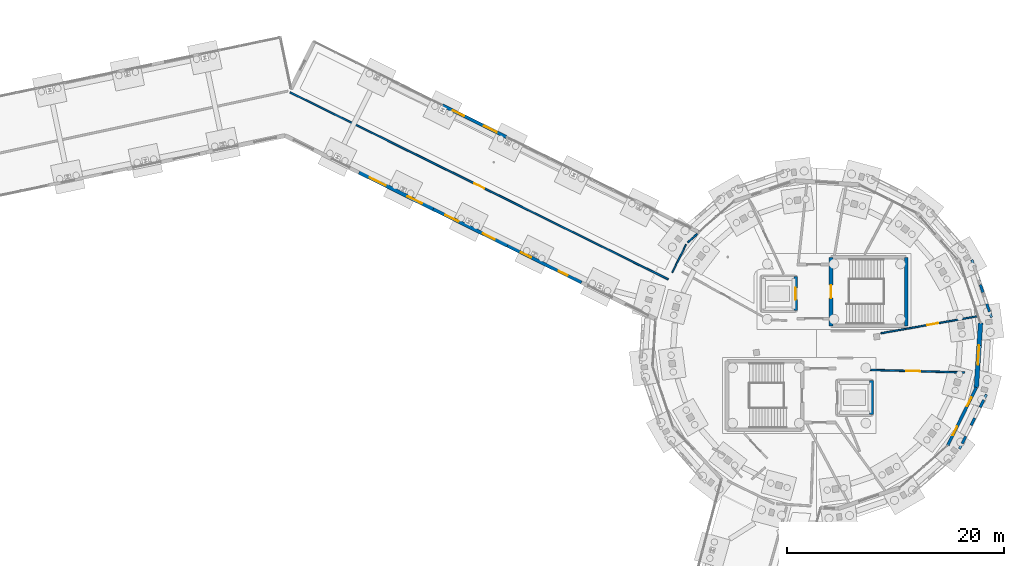
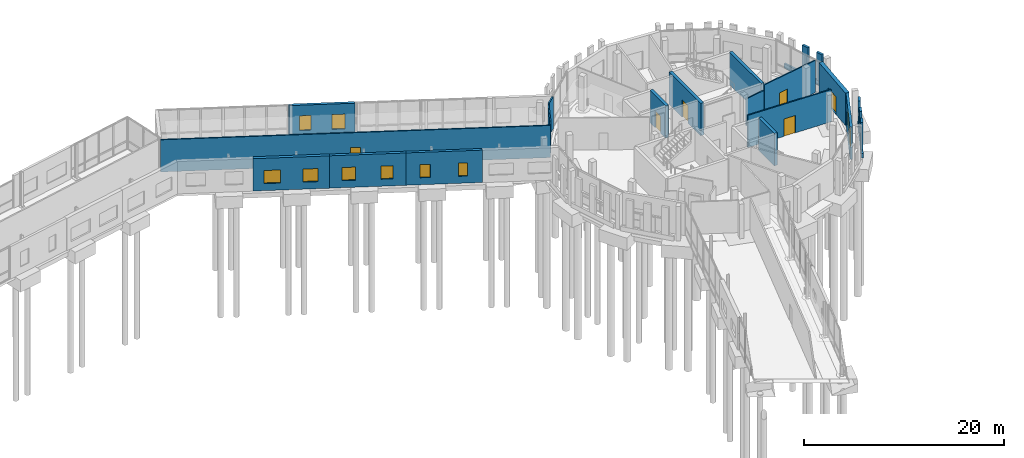
# One storey, part 94 of 113: 23 walls, 10 windows, 6 doors, 16 openings.
"""IFC4 building model written with IfcOpenShell, lengths in metres."""

from ifc_helpers import new_model, si_unit, direction, frame, frame_2d, origin, place, context, subcontext, project, spatial, rectangle, extrude, material, layer, layer_set, type_object, element, fill, save


model = new_model("IFC4")

# Units and contexts
model_context = context("Model", 3, precision=1e-05, world=origin(), true_north=direction((0.0, 1.0)))
body_context = subcontext(model_context, "Body", "Model", "MODEL_VIEW")
ifc_project = project(units=[si_unit("LENGTHUNIT", "METRE"), si_unit("AREAUNIT", "SQUARE_METRE"), si_unit("VOLUMEUNIT", "CUBIC_METRE"), si_unit("PLANEANGLEUNIT", "RADIAN"), si_unit("MASSUNIT", "GRAM", prefix="KILO")], contexts=[model_context])

# Site, building, storey
site_placement = place(None, origin())
site = spatial("IfcSite", under=ifc_project, at=site_placement, CompositionType="ELEMENT")
building_placement = place(site_placement, origin())
building = spatial("IfcBuilding", under=site, at=building_placement, Name="Wrenclough Park School", CompositionType="ELEMENT")
storey_placement = place(building_placement, origin())
storey = spatial("IfcBuildingStorey", under=building, at=storey_placement, Name="L00", CompositionType="ELEMENT", Elevation=0.0)

# Walls
ifc_material_1 = material(Name="Perforated open-bond Staffordshire and Manchester brick screen pier", Category="masonry")
ifc_layer_1 = layer(ifc_material_1, 0.2451171875)
ifc_layer_set_1 = layer_set([ifc_layer_1], Name="Perforated open-bond Staffordshire and Manchester brick screen pier")
wall_type_1 = type_object("IfcWallType", Name="ENV-BS-PR245", PredefinedType="ELEMENTEDWALL", material=ifc_layer_set_1)
for number, where, z_axis, x_axis, name in (
    (1, (190.47216796875, 96.537841796875, 0.550048828125), (0.0, 0.0, 1.0), (-0.321522655386, 0.946901886192, 0.0), "D5 L00 perforated brick screen pier 0138"),
    (2, (189.86865234375, 98.315673828125, 0.550048828125), (0.0, 0.0, 1.0), (-0.32123461411, 0.946999642396, 0.0), "D5 L00 perforated brick screen pier 0139"),
    (3, (187.94189453125, 84.353759765625, 0.550048828125), (0.0, 0.0, 1.0), (0.442324339485, 0.896855160379, 0.0), "D5 L00 perforated brick screen pier 0163"),
    (4, (188.7724609375, 86.03759765625, 0.550048828125), (0.0, 0.0, 1.0), (0.442324339485, 0.896855160379, 0.0), "D5 L00 perforated brick screen pier 0164"),
    (5, (189.602783203125, 87.7216796875, 0.550048828125), (0.0, 0.0, 1.0), (0.442324339485, 0.896855160379, 0.0), "D5 L00 perforated brick screen pier 0165"),
):
    element("IfcWall", number, at=place(storey_placement, frame(where, z_axis=z_axis, x_axis=x_axis)), inside=storey, type_object=wall_type_1, Name=name, PredefinedType="ELEMENTEDWALL", context=body_context, shape_type="SweptSolid", body=[
        extrude(rectangle(XDim=0.760009765625, YDim=0.2451171875, at=frame_2d((0.3798828125, 0.0))), origin(), (0.0, 0.0, 1.0), 3.389892578125),
    ])
ifc_material_2 = material(Name="Open-bond Manchester multi-stock brick spandrel screen", Category="masonry")
ifc_layer_2 = layer(ifc_material_2, 0.22509765625)
ifc_layer_set_2 = layer_set([ifc_layer_2], Name="Open-bond Manchester multi-stock brick spandrel screen")
wall_type_2 = type_object("IfcWallType", Name="ENV-BS-SP225", PredefinedType="ELEMENTEDWALL", material=ifc_layer_set_2)
wall_1_placement = place(storey_placement, frame((190.65185546875, 96.0087890625, 0.0), z_axis=(0.0, 0.0, 1.0), x_axis=(-0.321450435893, 0.946926405411, 0.0)))
element("IfcWall", 6, at=wall_1_placement, inside=storey, type_object=wall_type_2, Name="D5 L00 open-bond brick screen spandrel 0038", PredefinedType="ELEMENTEDWALL", context=body_context, shape_type="SweptSolid", body=[
    extrude(rectangle(XDim=5.63232421875, YDim=0.22509765625, at=frame_2d((2.816162109375, 0.0))), origin(), (0.0, 0.0, 1.0), 0.550048828125),
])
wall_2_placement = place(storey_placement, frame((187.69482421875, 83.8525390625, 0.0), z_axis=(0.0, 0.0, 1.0), x_axis=(0.442317796398, 0.896858387366, 0.0)))
element("IfcWall", 7, at=wall_2_placement, inside=storey, type_object=wall_type_2, Name="D5 L00 open-bond brick screen spandrel 0047", PredefinedType="ELEMENTEDWALL", context=body_context, shape_type="SweptSolid", body=[
    extrude(rectangle(XDim=5.6328125, YDim=0.22509765625, at=frame_2d((2.81640625, 0.0))), origin(), (0.0, 0.0, 1.0), 0.550048828125),
])

# Wall, openings, windows
ifc_material_3 = material(Name="Link wing brick-faced cavity wall Concrete C32/40", Category="masonry")
ifc_layer_3 = layer(ifc_material_3, 0.27490234375)
ifc_layer_set_3 = layer_set([ifc_layer_3], Name="Link wing brick-faced cavity wall Concrete C32/40")
wall_type_3 = type_object("IfcWallType", Name="ENV-EW-275", PredefinedType="SOLIDWALL", material=ifc_layer_set_3)
wall_3_placement = place(storey_placement, frame((189.257080078125, 89.5458984375, 0.0), z_axis=(0.0, 0.0, 1.0), x_axis=(-0.442275786664, -0.896879104746, 0.0)))
wall_3 = element("IfcWall", 8, at=wall_3_placement, inside=storey, type_object=wall_type_3, Name="L00 insulated brick external wall 0030", PredefinedType="SOLIDWALL", context=body_context, shape_type="SweptSolid", body=[
    extrude(rectangle(XDim=5.961181640625, YDim=0.27490234375, at=frame_2d((2.98046875, 0.0))), origin(), (0.0, 0.0, 1.0), 3.93994140625),
])
opening_1_placement = place(wall_3_placement, frame((1.040283203125, 0.0, 0.85009765625)))
opening_1 = element("IfcOpeningElement", 9, at=opening_1_placement, cuts=wall_3, Name="Opening WN-13", PredefinedType="OPENING", context=body_context, shape_type="SweptSolid", body=[
    extrude(rectangle(XDim=0.89990234375, YDim=1.60009765625, at=frame_2d((0.449951171875, 0.800048828125))), frame((0.0, 0.1474609375, 0.0), z_axis=(0.0, -1.0, 0.0), x_axis=(1.0, 0.0, 0.0)), (0.0, 0.0, 1.0), 0.294921875),
])
opening_2_placement = place(wall_3_placement, frame((4.02099609375, 0.0, 0.85009765625)))
opening_2 = element("IfcOpeningElement", 10, at=opening_2_placement, cuts=wall_3, Name="Opening WN-13", PredefinedType="OPENING", context=body_context, shape_type="SweptSolid", body=[
    extrude(rectangle(XDim=0.89990234375, YDim=1.60009765625, at=frame_2d((0.449951171875, 0.800048828125))), frame((0.0, 0.1474609375, 0.0), z_axis=(0.0, -1.0, 0.0), x_axis=(1.0, 0.0, 0.0)), (0.0, 0.0, 1.0), 0.294921875),
])
ifc_material_4 = material(Name="Thermally broken aluminium and double-glazed low-e glass", Category="aluminium")
window_type_1 = type_object("IfcWindowType", Name="ENV-WN-13", PartitioningType="SINGLE_PANEL", PredefinedType="WINDOW", material=ifc_material_4)
window_1_placement = place(opening_1_placement, origin())
window_1 = element("IfcWindow", 11, at=window_1_placement, inside=storey, type_object=window_type_1, Name="L00 scheduled facade window 0033", OverallHeight=1.60009765625, OverallWidth=0.89990234375, PartitioningType="SINGLE_PANEL", PredefinedType="WINDOW", context=body_context, shape_type="SweptSolid", body=[
    extrude(rectangle(XDim=0.89990234375, YDim=1.60009765625, at=frame_2d((0.449951171875, 0.800048828125))), frame((0.0, 0.030029296875, 0.0), z_axis=(0.0, -1.0, 0.0), x_axis=(1.0, 0.0, 0.0)), (0.0, 0.0, 1.0), 0.06005859375),
])
fill(opening_1, window_1)
window_2_placement = place(opening_2_placement, origin())
window_2 = element("IfcWindow", 12, at=window_2_placement, inside=storey, type_object=window_type_1, Name="L00 scheduled facade window 0034", OverallHeight=1.60009765625, OverallWidth=0.89990234375, PartitioningType="SINGLE_PANEL", PredefinedType="WINDOW", context=body_context, shape_type="SweptSolid", body=[
    extrude(rectangle(XDim=0.89990234375, YDim=1.60009765625, at=frame_2d((0.449951171875, 0.800048828125))), frame((0.0, 0.030029296875, 0.0), z_axis=(0.0, -1.0, 0.0), x_axis=(1.0, 0.0, 0.0)), (0.0, 0.0, 1.0), 0.06005859375),
])
fill(opening_2, window_2)

ifc_material_5 = material(Name="Manchester multi-stock brick and Concrete C32/40 inner leaf", Category="masonry")
ifc_layer_4 = layer(ifc_material_5, 0.300048828125)
ifc_layer_set_4 = layer_set([ifc_layer_4], Name="Manchester multi-stock brick and Concrete C32/40 inner leaf")
wall_type_4 = type_object("IfcWallType", Name="ENV-EW-300", PredefinedType="SOLIDWALL", material=ifc_layer_set_4)
wall_4_placement = place(storey_placement, frame((139.934814453125, 115.602783203125, 0.0), z_axis=(0.0, 0.0, 1.0), x_axis=(0.896274950862, -0.443498830277, 0.0)))
wall_4 = element("IfcWall", 13, at=wall_4_placement, inside=storey, type_object=wall_type_4, Name="L00 insulated brick external wall 0024", PredefinedType="SOLIDWALL", context=body_context, shape_type="SweptSolid", body=[
    extrude(rectangle(XDim=6.605224609375, YDim=0.300048828125, at=frame_2d((3.302734375, 0.0))), origin(), (0.0, 0.0, 1.0), 3.93994140625),
])
opening_3_placement = place(wall_4_placement, frame((1.076416015625, 0.0, 0.85009765625)))
opening_3 = element("IfcOpeningElement", 14, at=opening_3_placement, cuts=wall_4, Name="Opening WN-26", PredefinedType="OPENING", context=body_context, shape_type="SweptSolid", body=[
    extrude(rectangle(XDim=1.14990234375, YDim=1.800048828125, at=frame_2d((0.574951171875, 0.89990234375))), frame((0.0, 0.159912109375, 0.0), z_axis=(0.0, -1.0, 0.0), x_axis=(1.0, 0.0, 0.0)), (0.0, 0.0, 1.0), 0.320068359375),
])
opening_4_placement = place(wall_4_placement, frame((4.30419921875, 0.0, 0.85009765625)))
opening_4 = element("IfcOpeningElement", 15, at=opening_4_placement, cuts=wall_4, Name="Opening WN-27", PredefinedType="OPENING", context=body_context, shape_type="SweptSolid", body=[
    extrude(rectangle(XDim=1.300048828125, YDim=1.800048828125, at=frame_2d((0.64990234375, 0.89990234375))), frame((0.0, 0.159912109375, 0.0), z_axis=(0.0, -1.0, 0.0), x_axis=(1.0, 0.0, 0.0)), (0.0, 0.0, 1.0), 0.320068359375),
])
window_type_2 = type_object("IfcWindowType", Name="ENV-WN-26", PartitioningType="SINGLE_PANEL", PredefinedType="WINDOW", material=ifc_material_4)
window_3_placement = place(opening_3_placement, origin())
window_3 = element("IfcWindow", 16, at=window_3_placement, inside=storey, type_object=window_type_2, Name="L00 scheduled facade window 0025", OverallHeight=1.800048828125, OverallWidth=1.14990234375, PartitioningType="SINGLE_PANEL", PredefinedType="WINDOW", context=body_context, shape_type="SweptSolid", body=[
    extrude(rectangle(XDim=1.14990234375, YDim=1.800048828125, at=frame_2d((0.574951171875, 0.89990234375))), frame((0.0, 0.030029296875, 0.0), z_axis=(0.0, -1.0, 0.0), x_axis=(1.0, 0.0, 0.0)), (0.0, 0.0, 1.0), 0.06005859375),
])
fill(opening_3, window_3)
window_type_3 = type_object("IfcWindowType", Name="ENV-WN-27", PartitioningType="SINGLE_PANEL", PredefinedType="WINDOW", material=ifc_material_4)
window_4_placement = place(opening_4_placement, origin())
window_4 = element("IfcWindow", 17, at=window_4_placement, inside=storey, type_object=window_type_3, Name="L00 scheduled facade window 0026", OverallHeight=1.800048828125, OverallWidth=1.300048828125, PartitioningType="SINGLE_PANEL", PredefinedType="WINDOW", context=body_context, shape_type="SweptSolid", body=[
    extrude(rectangle(XDim=1.300048828125, YDim=1.800048828125, at=frame_2d((0.64990234375, 0.89990234375))), frame((0.0, 0.030029296875, 0.0), z_axis=(0.0, -1.0, 0.0), x_axis=(1.0, 0.0, 0.0)), (0.0, 0.0, 1.0), 0.06005859375),
])
fill(opening_4, window_4)

wall_5_placement = place(storey_placement, frame((152.790771484375, 99.244384765625, 0.0), z_axis=(0.0, 0.0, 1.0), x_axis=(-0.896273029361, 0.443502713452, 0.0)))
wall_5 = element("IfcWall", 18, at=wall_5_placement, inside=storey, type_object=wall_type_4, Name="L00 insulated brick external wall 0056", PredefinedType="SOLIDWALL", context=body_context, shape_type="SweptSolid", body=[
    extrude(rectangle(XDim=7.6396484375, YDim=0.300048828125, at=frame_2d((3.81982421875, 0.0))), origin(), (0.0, 0.0, 1.0), 3.93994140625),
])
opening_5_placement = place(wall_5_placement, frame((1.4599609375, 0.0, 0.85009765625)))
opening_5 = element("IfcOpeningElement", 19, at=opening_5_placement, cuts=wall_5, Name="Opening WN-13", PredefinedType="OPENING", context=body_context, shape_type="SweptSolid", body=[
    extrude(rectangle(XDim=0.89990234375, YDim=1.60009765625, at=frame_2d((0.449951171875, 0.800048828125))), frame((0.0, 0.159912109375, 0.0), z_axis=(0.0, -1.0, 0.0), x_axis=(1.0, 0.0, 0.0)), (0.0, 0.0, 1.0), 0.320068359375),
])
opening_6_placement = place(wall_5_placement, frame((5.204833984375, 0.0, 0.85009765625)))
opening_6 = element("IfcOpeningElement", 20, at=opening_6_placement, cuts=wall_5, Name="Opening WN-14", PredefinedType="OPENING", context=body_context, shape_type="SweptSolid", body=[
    extrude(rectangle(XDim=1.050048828125, YDim=1.60009765625, at=frame_2d((0.52490234375, 0.800048828125))), frame((0.0, 0.159912109375, 0.0), z_axis=(0.0, -1.0, 0.0), x_axis=(1.0, 0.0, 0.0)), (0.0, 0.0, 1.0), 0.320068359375),
])
window_5_placement = place(opening_5_placement, origin())
window_5 = element("IfcWindow", 21, at=window_5_placement, inside=storey, type_object=window_type_1, Name="L00 scheduled facade window 0068", OverallHeight=1.60009765625, OverallWidth=0.89990234375, PartitioningType="SINGLE_PANEL", PredefinedType="WINDOW", context=body_context, shape_type="SweptSolid", body=[
    extrude(rectangle(XDim=0.89990234375, YDim=1.60009765625, at=frame_2d((0.449951171875, 0.800048828125))), frame((0.0, 0.030029296875, 0.0), z_axis=(0.0, -1.0, 0.0), x_axis=(1.0, 0.0, 0.0)), (0.0, 0.0, 1.0), 0.06005859375),
])
fill(opening_5, window_5)
window_type_4 = type_object("IfcWindowType", Name="ENV-WN-14", PartitioningType="SINGLE_PANEL", PredefinedType="WINDOW", material=ifc_material_4)
window_6_placement = place(opening_6_placement, origin())
window_6 = element("IfcWindow", 22, at=window_6_placement, inside=storey, type_object=window_type_4, Name="L00 scheduled facade window 0069", OverallHeight=1.60009765625, OverallWidth=1.050048828125, PartitioningType="SINGLE_PANEL", PredefinedType="WINDOW", context=body_context, shape_type="SweptSolid", body=[
    extrude(rectangle(XDim=1.050048828125, YDim=1.60009765625, at=frame_2d((0.52490234375, 0.800048828125))), frame((0.0, 0.030029296875, 0.0), z_axis=(0.0, -1.0, 0.0), x_axis=(1.0, 0.0, 0.0)), (0.0, 0.0, 1.0), 0.06005859375),
])
fill(opening_6, window_6)

ifc_layer_5 = layer(ifc_material_5, 0.324951171875)
ifc_layer_set_5 = layer_set([ifc_layer_5], Name="Manchester multi-stock brick and Concrete C32/40 inner leaf")
wall_type_5 = type_object("IfcWallType", Name="ENV-EW-325", PredefinedType="SOLIDWALL", material=ifc_layer_set_5)
wall_6_placement = place(storey_placement, frame((145.943603515625, 102.632568359375, 0.0), z_axis=(0.0, 0.0, 1.0), x_axis=(-0.896266612371, 0.443515681289, 0.0)))
wall_6 = element("IfcWall", 23, at=wall_6_placement, inside=storey, type_object=wall_type_5, Name="L00 insulated brick external wall 0057", PredefinedType="SOLIDWALL", context=body_context, shape_type="SweptSolid", body=[
    extrude(rectangle(XDim=7.639892578125, YDim=0.324951171875, at=frame_2d((3.81982421875, 0.0))), origin(), (0.0, 0.0, 1.0), 3.93994140625),
])
opening_7_placement = place(wall_6_placement, frame((1.31005859375, 0.0, 0.85009765625)))
opening_7 = element("IfcOpeningElement", 24, at=opening_7_placement, cuts=wall_6, Name="Opening WN-15", PredefinedType="OPENING", context=body_context, shape_type="SweptSolid", body=[
    extrude(rectangle(XDim=1.199951171875, YDim=1.60009765625, at=frame_2d((0.60009765625, 0.800048828125))), frame((0.0, 0.17236328125, 0.0), z_axis=(0.0, -1.0, 0.0), x_axis=(1.0, 0.0, 0.0)), (0.0, 0.0, 1.0), 0.344970703125),
])
opening_8_placement = place(wall_6_placement, frame((5.054931640625, 0.0, 0.85009765625)))
opening_8 = element("IfcOpeningElement", 25, at=opening_8_placement, cuts=wall_6, Name="Opening WN-16", PredefinedType="OPENING", context=body_context, shape_type="SweptSolid", body=[
    extrude(rectangle(XDim=1.35009765625, YDim=1.60009765625, at=frame_2d((0.675048828125, 0.800048828125))), frame((0.0, 0.17236328125, 0.0), z_axis=(0.0, -1.0, 0.0), x_axis=(1.0, 0.0, 0.0)), (0.0, 0.0, 1.0), 0.344970703125),
])
window_type_5 = type_object("IfcWindowType", Name="ENV-WN-15", PartitioningType="SINGLE_PANEL", PredefinedType="WINDOW", material=ifc_material_4)
window_7_placement = place(opening_7_placement, origin())
window_7 = element("IfcWindow", 26, at=window_7_placement, inside=storey, type_object=window_type_5, Name="L00 scheduled facade window 0070", OverallHeight=1.60009765625, OverallWidth=1.199951171875, PartitioningType="SINGLE_PANEL", PredefinedType="WINDOW", context=body_context, shape_type="SweptSolid", body=[
    extrude(rectangle(XDim=1.199951171875, YDim=1.60009765625, at=frame_2d((0.60009765625, 0.800048828125))), frame((0.0, 0.030029296875, 0.0), z_axis=(0.0, -1.0, 0.0), x_axis=(1.0, 0.0, 0.0)), (0.0, 0.0, 1.0), 0.06005859375),
])
fill(opening_7, window_7)
window_type_6 = type_object("IfcWindowType", Name="ENV-WN-16", PartitioningType="SINGLE_PANEL", PredefinedType="WINDOW", material=ifc_material_4)
window_8_placement = place(opening_8_placement, origin())
window_8 = element("IfcWindow", 27, at=window_8_placement, inside=storey, type_object=window_type_6, Name="L00 scheduled facade window 0071", OverallHeight=1.60009765625, OverallWidth=1.35009765625, PartitioningType="SINGLE_PANEL", PredefinedType="WINDOW", context=body_context, shape_type="SweptSolid", body=[
    extrude(rectangle(XDim=1.35009765625, YDim=1.60009765625, at=frame_2d((0.675048828125, 0.800048828125))), frame((0.0, 0.030029296875, 0.0), z_axis=(0.0, -1.0, 0.0), x_axis=(1.0, 0.0, 0.0)), (0.0, 0.0, 1.0), 0.06005859375),
])
fill(opening_8, window_8)

ifc_material_6 = material(Name="Staffordshire blue-grey brick and Concrete C35/45 inner leaf", Category="masonry")
ifc_layer_6 = layer(ifc_material_6, 0.35009765625)
ifc_layer_set_6 = layer_set([ifc_layer_6], Name="Staffordshire blue-grey brick and Concrete C35/45 inner leaf")
wall_type_6 = type_object("IfcWallType", Name="ENV-EW-350", PredefinedType="SOLIDWALL", material=ifc_layer_set_6)
wall_7_placement = place(storey_placement, frame((139.09619140625, 106.02099609375, 0.0), z_axis=(0.0, 0.0, 1.0), x_axis=(-0.896279314912, 0.44349001078, 0.0)))
wall_7 = element("IfcWall", 28, at=wall_7_placement, inside=storey, type_object=wall_type_6, Name="L00 insulated brick external wall 0058", PredefinedType="SOLIDWALL", context=body_context, shape_type="SweptSolid", body=[
    extrude(rectangle(XDim=7.639892578125, YDim=0.35009765625, at=frame_2d((3.81982421875, 0.0))), origin(), (0.0, 0.0, 1.0), 3.93994140625),
])
opening_9_placement = place(wall_7_placement, frame((1.159912109375, 0.0, 0.85009765625)))
opening_9 = element("IfcOpeningElement", 29, at=opening_9_placement, cuts=wall_7, Name="Opening WN-17", PredefinedType="OPENING", context=body_context, shape_type="SweptSolid", body=[
    extrude(rectangle(XDim=1.5, YDim=1.60009765625, at=frame_2d((0.75, 0.800048828125))), frame((0.0, 0.18505859375, 0.0), z_axis=(0.0, -1.0, 0.0), x_axis=(1.0, 0.0, 0.0)), (0.0, 0.0, 1.0), 0.3701171875),
])
opening_10_placement = place(wall_7_placement, frame((4.90478515625, 0.0, 0.85009765625)))
opening_10 = element("IfcOpeningElement", 30, at=opening_10_placement, cuts=wall_7, Name="Opening WN-18", PredefinedType="OPENING", context=body_context, shape_type="SweptSolid", body=[
    extrude(rectangle(XDim=1.64990234375, YDim=1.60009765625, at=frame_2d((0.824951171875, 0.800048828125))), frame((0.0, 0.18505859375, 0.0), z_axis=(0.0, -1.0, 0.0), x_axis=(1.0, 0.0, 0.0)), (0.0, 0.0, 1.0), 0.3701171875),
])
window_type_7 = type_object("IfcWindowType", Name="ENV-WN-17", PartitioningType="DOUBLE_PANEL_VERTICAL", PredefinedType="WINDOW", material=ifc_material_4)
window_9_placement = place(opening_9_placement, origin())
window_9 = element("IfcWindow", 31, at=window_9_placement, inside=storey, type_object=window_type_7, Name="L00 scheduled facade window 0072", OverallHeight=1.60009765625, OverallWidth=1.5, PartitioningType="SINGLE_PANEL", PredefinedType="WINDOW", context=body_context, shape_type="SweptSolid", body=[
    extrude(rectangle(XDim=1.5, YDim=1.60009765625, at=frame_2d((0.75, 0.800048828125))), frame((0.0, 0.030029296875, 0.0), z_axis=(0.0, -1.0, 0.0), x_axis=(1.0, 0.0, 0.0)), (0.0, 0.0, 1.0), 0.06005859375),
])
fill(opening_9, window_9)
window_type_8 = type_object("IfcWindowType", Name="ENV-WN-18", PartitioningType="DOUBLE_PANEL_VERTICAL", PredefinedType="WINDOW", material=ifc_material_4)
window_10_placement = place(opening_10_placement, origin())
window_10 = element("IfcWindow", 32, at=window_10_placement, inside=storey, type_object=window_type_8, Name="L00 scheduled facade window 0073", OverallHeight=1.60009765625, OverallWidth=1.64990234375, PartitioningType="SINGLE_PANEL", PredefinedType="WINDOW", context=body_context, shape_type="SweptSolid", body=[
    extrude(rectangle(XDim=1.64990234375, YDim=1.60009765625, at=frame_2d((0.824951171875, 0.800048828125))), frame((0.0, 0.030029296875, 0.0), z_axis=(0.0, -1.0, 0.0), x_axis=(1.0, 0.0, 0.0)), (0.0, 0.0, 1.0), 0.06005859375),
])
fill(opening_10, window_10)

# Wall, opening, door
ifc_material_7 = material(Name="Insulated brick-clad sports hall wall Concrete C40/50", Category="masonry")
ifc_layer_7 = layer(ifc_material_7, 0.425048828125)
ifc_layer_set_7 = layer_set([ifc_layer_7], Name="Insulated brick-clad sports hall wall Concrete C40/50")
wall_type_7 = type_object("IfcWallType", Name="ENV-EW-425", PredefinedType="SOLIDWALL", material=ifc_layer_set_7)
wall_8_placement = place(storey_placement, frame((189.64697265625, 95.494140625, 0.0), z_axis=(0.0, 0.0, 1.0), x_axis=(-0.065407169492, -0.997858658418, 0.0)))
wall_8 = element("IfcWall", 33, at=wall_8_placement, inside=storey, type_object=wall_type_7, Name="L00 insulated brick external wall 0029", PredefinedType="SOLIDWALL", context=body_context, shape_type="SweptSolid", body=[
    extrude(rectangle(XDim=5.9609375, YDim=0.425048828125, at=frame_2d((2.98046875, 0.0))), origin(), (0.0, 0.0, 1.0), 3.93994140625),
])
opening_11_placement = place(wall_8_placement, frame((2.08056640625, 0.0, 0.0)))
opening_11 = element("IfcOpeningElement", 34, at=opening_11_placement, cuts=wall_8, Name="Opening EX-14", PredefinedType="OPENING", context=body_context, shape_type="SweptSolid", body=[
    extrude(rectangle(XDim=1.800048828125, YDim=2.159912109375, at=frame_2d((0.89990234375, 1.080078125))), frame((0.0, 0.222412109375, 0.0), z_axis=(0.0, -1.0, 0.0), x_axis=(1.0, 0.0, 0.0)), (0.0, 0.0, 1.0), 0.445068359375),
])
ifc_material_8 = material(Name="Thermally broken powder-coated aluminium and laminated safety glass", Category="aluminium")
door_type_1 = type_object("IfcDoorType", Name="DR-EX180", OperationType="NOTDEFINED", PredefinedType="DOOR", material=ifc_material_8)
door_1_placement = place(opening_11_placement, origin())
door_1 = element("IfcDoor", 35, at=door_1_placement, inside=storey, type_object=door_type_1, Name="Pedestrian final exit door EX-14", OperationType="DOUBLE_DOOR_SINGLE_SWING", OverallHeight=2.159912109375, OverallWidth=1.800048828125, PredefinedType="DOOR", context=body_context, shape_type="SweptSolid", body=[
    extrude(rectangle(XDim=1.800048828125, YDim=2.159912109375, at=frame_2d((0.89990234375, 1.080078125))), frame((0.0, 0.02490234375, 0.0), z_axis=(0.0, -1.0, 0.0), x_axis=(1.0, 0.0, 0.0)), (0.0, 0.0, 1.0), 0.050048828125),
])
fill(opening_11, door_1)

# Walls
ifc_material_9 = material(Name="Concrete C40/50", Category="concrete")
ifc_layer_8 = layer(ifc_material_9, 0.340087890625)
ifc_layer_set_8 = layer_set([ifc_layer_8], Name="Concrete C40/50")
wall_type_8 = type_object("IfcWallType", Name="INT-CW-340", PredefinedType="SHEAR", material=ifc_layer_set_8)
wall_9_placement = place(storey_placement, frame((179.570068359375, 87.030029296875, 0.0), z_axis=(0.0, 0.0, 1.0), x_axis=(0.0, 1.0, 0.0)))
element("IfcWall", 36, at=wall_9_placement, inside=storey, type_object=wall_type_8, Name="Lift LFT-01 L00 east shaft wall", PredefinedType="SHEAR", context=body_context, shape_type="SweptSolid", body=[
    extrude(rectangle(XDim=3.139892578125, YDim=0.340087890625, at=frame_2d((1.56982421875, 0.0))), origin(), (0.0, 0.0, 1.0), 3.949951171875),
])
wall_10_placement = place(storey_placement, frame((182.77001953125, 95.22998046875, 0.0), z_axis=(0.0, 0.0, 1.0), x_axis=(0.0, 1.0, 0.0)))
element("IfcWall", 37, at=wall_10_placement, inside=storey, type_object=wall_type_8, Name="Core C6 L00 east shear wall", PredefinedType="SHEAR", context=body_context, shape_type="SweptSolid", body=[
    extrude(rectangle(XDim=6.340087890625, YDim=0.340087890625, at=frame_2d((3.169921875, 0.0))), origin(), (0.0, 0.0, 1.0), 3.949951171875),
])

# Wall, opening, door
wall_11_placement = place(storey_placement, frame((175.830078125, 101.570068359375, 0.0), z_axis=(0.0, 0.0, 1.0), x_axis=(0.0, -1.0, 0.0)))
wall_11 = element("IfcWall", 38, at=wall_11_placement, inside=storey, type_object=wall_type_8, Name="Core C6 L00 west shear wall", PredefinedType="SHEAR", context=body_context, shape_type="SweptSolid", body=[
    extrude(rectangle(XDim=6.340087890625, YDim=0.340087890625, at=frame_2d((3.169921875, 0.0))), origin(), (0.0, 0.0, 1.0), 3.949951171875),
])
opening_12_placement = place(wall_11_placement, frame((2.570068359375, 0.0, 0.0)))
opening_12 = element("IfcOpeningElement", 39, at=opening_12_placement, cuts=wall_11, Name="Opening DST-C6-L00", PredefinedType="OPENING", context=body_context, shape_type="SweptSolid", body=[
    extrude(rectangle(XDim=1.199951171875, YDim=2.10009765625, at=frame_2d((0.60009765625, 1.050048828125))), frame((0.0, 0.179931640625, 0.0), z_axis=(0.0, -1.0, 0.0), x_axis=(1.0, 0.0, 0.0)), (0.0, 0.0, 1.0), 0.360107421875),
])
ifc_material_10 = material(Name="Solid-core hardwood firefighting stair door assembly", Category="wood")
door_type_2 = type_object("IfcDoorType", Name="INT-DR-FF120", OperationType="NOTDEFINED", PredefinedType="DOOR", material=ifc_material_10)
door_2_placement = place(opening_12_placement, frame((1.199951171875, 0.0, 0.0), z_axis=(0.0, 0.0, 1.0), x_axis=(-1.0, 0.0, 0.0)))
door_2 = element("IfcDoor", 40, at=door_2_placement, inside=storey, type_object=door_type_2, Name="Stair ST-06 L00 fire door", OperationType="SINGLE_SWING_LEFT", OverallHeight=2.10009765625, OverallWidth=1.199951171875, PredefinedType="DOOR", context=body_context, shape_type="SweptSolid", body=[
    extrude(rectangle(XDim=1.199951171875, YDim=2.10009765625, at=frame_2d((0.60009765625, 1.050048828125))), frame((0.0, 0.02490234375, 0.0), z_axis=(0.0, -1.0, 0.0), x_axis=(1.0, 0.0, 0.0)), (0.0, 0.0, 1.0), 0.050048828125),
])
fill(opening_12, door_2)

wall_12_placement = place(storey_placement, frame((172.570068359375, 96.6298828125, 0.0), z_axis=(0.0, 0.0, 1.0), x_axis=(0.0, 1.0, 0.0)))
wall_12 = element("IfcWall", 41, at=wall_12_placement, inside=storey, type_object=wall_type_8, Name="Lift LFT-02 L00 east shaft wall", PredefinedType="SHEAR", context=body_context, shape_type="SweptSolid", body=[
    extrude(rectangle(XDim=3.14013671875, YDim=0.340087890625, at=frame_2d((1.570068359375, 0.0))), origin(), (0.0, 0.0, 1.0), 3.949951171875),
])
opening_13_placement = place(wall_12_placement, frame((1.02001953125, 0.0, 0.0)))
opening_13 = element("IfcOpeningElement", 42, at=opening_13_placement, cuts=wall_12, Name="Opening LD-02-L00", PredefinedType="OPENING", context=body_context, shape_type="SweptSolid", body=[
    extrude(rectangle(XDim=1.10009765625, YDim=2.10009765625, at=frame_2d((0.550048828125, 1.050048828125))), frame((0.0, 0.179931640625, 0.0), z_axis=(0.0, -1.0, 0.0), x_axis=(1.0, 0.0, 0.0)), (0.0, 0.0, 1.0), 0.360107421875),
])
ifc_material_11 = material(Name="Brushed stainless steel", Category="steel")
door_type_3 = type_object("IfcDoorType", Name="INT-DR-LD110", OperationType="NOTDEFINED", PredefinedType="DOOR", material=ifc_material_11)
door_3_placement = place(opening_13_placement, frame((1.10009765625, 0.0, 0.0), z_axis=(0.0, 0.0, 1.0), x_axis=(-1.0, 0.0, 0.0)))
door_3 = element("IfcDoor", 43, at=door_3_placement, inside=storey, type_object=door_type_3, Name="Lift LFT-02 L00 sliding landing door", OperationType="DOUBLE_DOOR_SLIDING", OverallHeight=2.10009765625, OverallWidth=1.10009765625, PredefinedType="DOOR", context=body_context, shape_type="SweptSolid", body=[
    extrude(rectangle(XDim=1.10009765625, YDim=2.10009765625, at=frame_2d((0.550048828125, 1.050048828125))), frame((0.0, 0.02490234375, 0.0), z_axis=(0.0, -1.0, 0.0), x_axis=(1.0, 0.0, 0.0)), (0.0, 0.0, 1.0), 0.050048828125),
])
fill(opening_13, door_3)

# Wall
ifc_material_12 = material(Name="Standard fire-rated room partition", Category="gypsum")
ifc_layer_9 = layer(ifc_material_12, 0.1298828125)
ifc_layer_set_9 = layer_set([ifc_layer_9], Name="Standard fire-rated room partition")
wall_type_9 = type_object("IfcWallType", Name="INT-PW-130", PredefinedType="PARTITIONING", material=ifc_layer_set_9)
wall_13_placement = place(storey_placement, frame((162.444091796875, 102.750732421875, 0.0), z_axis=(0.0, 0.0, 1.0), x_axis=(-0.442302732692, -0.896865816415, 0.0)))
element("IfcWall", 44, at=wall_13_placement, inside=storey, type_object=wall_type_9, Name="L00 internal partition 0116", PredefinedType="PARTITIONING", context=body_context, shape_type="SweptSolid", body=[
    extrude(rectangle(XDim=2.887451171875, YDim=0.1298828125, at=frame_2d((1.44384765625, 0.0))), origin(), (0.0, 0.0, 1.0), 3.9150390625),
])

# Wall, opening, door
ifc_material_13 = material(Name="Protected corridor partition", Category="gypsum")
ifc_layer_10 = layer(ifc_material_13, 0.14990234375)
ifc_layer_set_10 = layer_set([ifc_layer_10], Name="Protected corridor partition")
wall_type_10 = type_object("IfcWallType", Name="INT-PW-150", PredefinedType="PARTITIONING", material=ifc_layer_set_10)
wall_14_placement = place(storey_placement, frame((188.1630859375, 90.9267578125, 0.0), z_axis=(0.0, 0.0, 1.0), x_axis=(-0.999623287431, 0.027446005645, 0.0)))
wall_14 = element("IfcWall", 45, at=wall_14_placement, inside=storey, type_object=wall_type_10, Name="L00 internal partition 0120", PredefinedType="PARTITIONING", context=body_context, shape_type="SweptSolid", body=[
    extrude(rectangle(XDim=9.455810546875, YDim=0.14990234375, at=frame_2d((4.72802734375, 0.0))), origin(), (0.0, 0.0, 1.0), 3.9150390625),
])
opening_14_placement = place(wall_14_placement, frame((4.06787109375, 0.0, 0.0)))
opening_14 = element("IfcOpeningElement", 46, at=opening_14_placement, cuts=wall_14, Name="Opening DR-L00-018", PredefinedType="OPENING", context=body_context, shape_type="SweptSolid", body=[
    extrude(rectangle(XDim=1.320068359375, YDim=2.1201171875, at=frame_2d((0.66015625, 1.06005859375))), frame((0.0, 0.0849609375, 0.0), z_axis=(0.0, -1.0, 0.0), x_axis=(1.0, 0.0, 0.0)), (0.0, 0.0, 1.0), 0.169921875),
])
ifc_material_14 = material(Name="Internal plant and switchroom fire door assembly", Category="wood")
door_type_4 = type_object("IfcDoorType", Name="INT-DR-PLT132", OperationType="NOTDEFINED", PredefinedType="DOOR", material=ifc_material_14)
door_4_placement = place(opening_14_placement, origin())
door_4 = element("IfcDoor", 47, at=door_4_placement, inside=storey, type_object=door_type_4, Name="Fire Command Centre door DR-L00-018", OperationType="SINGLE_SWING_LEFT", OverallHeight=2.1201171875, OverallWidth=1.320068359375, PredefinedType="DOOR", context=body_context, shape_type="SweptSolid", body=[
    extrude(rectangle(XDim=1.320068359375, YDim=2.1201171875, at=frame_2d((0.66015625, 1.06005859375))), frame((0.0, 0.02490234375, 0.0), z_axis=(0.0, -1.0, 0.0), x_axis=(1.0, 0.0, 0.0)), (0.0, 0.0, 1.0), 0.050048828125),
])
fill(opening_14, door_4)

wall_15_placement = place(storey_placement, frame((125.870361328125, 116.803955078125, 0.0), z_axis=(0.0, 0.0, 1.0), x_axis=(0.896396995338, -0.443252102926, 0.0)))
wall_15 = element("IfcWall", 48, at=wall_15_placement, inside=storey, type_object=wall_type_10, Name="L00 internal partition 0158", PredefinedType="PARTITIONING", context=body_context, shape_type="SweptSolid", body=[
    extrude(rectangle(XDim=38.967529296875, YDim=0.14990234375, at=frame_2d((19.48388671875, 0.0))), origin(), (0.0, 0.0, 1.0), 3.9150390625),
])
opening_15_placement = place(wall_15_placement, frame((18.9638671875, 0.0, 0.0)))
opening_15 = element("IfcOpeningElement", 49, at=opening_15_placement, cuts=wall_15, Name="Opening DR-L00-029", PredefinedType="OPENING", context=body_context, shape_type="SweptSolid", body=[
    extrude(rectangle(XDim=1.0400390625, YDim=2.10009765625, at=frame_2d((0.52001953125, 1.050048828125))), frame((0.0, 0.0849609375, 0.0), z_axis=(0.0, -1.0, 0.0), x_axis=(1.0, 0.0, 0.0)), (0.0, 0.0, 1.0), 0.169921875),
])
ifc_material_15 = material(Name="SEN accessible teaching room door assembly", Category="wood")
door_type_5 = type_object("IfcDoorType", Name="INT-DR-CL104", OperationType="NOTDEFINED", PredefinedType="DOOR", material=ifc_material_15)
door_5_placement = place(opening_15_placement, origin())
door_5 = element("IfcDoor", 50, at=door_5_placement, inside=storey, type_object=door_type_5, Name="Sixth Form Tutorial Classroom L00 door DR-L00-029", OperationType="SINGLE_SWING_RIGHT", OverallHeight=2.10009765625, OverallWidth=1.0400390625, PredefinedType="DOOR", context=body_context, shape_type="SweptSolid", body=[
    extrude(rectangle(XDim=1.0400390625, YDim=2.10009765625, at=frame_2d((0.52001953125, 1.050048828125))), frame((0.0, 0.02490234375, 0.0), z_axis=(0.0, -1.0, 0.0), x_axis=(1.0, 0.0, 0.0)), (0.0, 0.0, 1.0), 0.050048828125),
])
fill(opening_15, door_5)

# Walls
wall_16_placement = place(storey_placement, frame((162.600830078125, 102.9453125, 0.0), z_axis=(0.0, 0.0, 1.0), x_axis=(0.748323834823, 0.66333357991, 0.0)))
element("IfcWall", 51, at=wall_16_placement, inside=storey, type_object=wall_type_10, Name="L00 internal partition 0159", PredefinedType="PARTITIONING", context=body_context, shape_type="SweptSolid", body=[
    extrude(rectangle(XDim=1.192138671875, YDim=0.14990234375, at=frame_2d((0.59619140625, 0.0))), origin(), (0.0, 0.0, 1.0), 3.9150390625),
])
ifc_material_16 = material(Name="Moisture-resistant sanitary service wall", Category="gypsum")
ifc_layer_11 = layer(ifc_material_16, 0.139892578125)
ifc_layer_set_11 = layer_set([ifc_layer_11], Name="Moisture-resistant sanitary service wall")
wall_type_11 = type_object("IfcWallType", Name="INT-SV-140", PredefinedType="PLUMBINGWALL", material=ifc_layer_set_11)
wall_17_placement = place(storey_placement, frame((180.44189453125, 94.547607421875, 0.0), z_axis=(0.0, 0.0, 1.0), x_axis=(0.984803709336, 0.173671108934, 0.0)))
element("IfcWall", 52, at=wall_17_placement, inside=storey, type_object=wall_type_11, Name="L00 internal partition 0122", PredefinedType="PLUMBINGWALL", context=body_context, shape_type="SweptSolid", body=[
    extrude(rectangle(XDim=2.316650390625, YDim=0.139892578125, at=frame_2d((1.158203125, 0.0))), origin(), (0.0, 0.0, 1.0), 3.26708984375),
])

# Wall, opening, door
wall_18_placement = place(storey_placement, frame((182.77001953125, 94.958251953125, 0.0), z_axis=(0.0, 0.0, 1.0), x_axis=(0.984809373829, 0.173638985308, 0.0)))
wall_18 = element("IfcWall", 53, at=wall_18_placement, inside=storey, type_object=wall_type_11, Name="L00 internal partition 0123", PredefinedType="PLUMBINGWALL", context=body_context, shape_type="SweptSolid", body=[
    extrude(rectangle(XDim=6.66162109375, YDim=0.139892578125, at=frame_2d((3.330810546875, 0.0))), origin(), (0.0, 0.0, 1.0), 3.9150390625),
])
opening_16_placement = place(wall_18_placement, frame((1.974609375, 0.0, 0.0)))
opening_16 = element("IfcOpeningElement", 54, at=opening_16_placement, cuts=wall_18, Name="Opening DR-L00-019", PredefinedType="OPENING", context=body_context, shape_type="SweptSolid", body=[
    extrude(rectangle(XDim=1.02001953125, YDim=2.06005859375, at=frame_2d((0.510009765625, 1.030029296875))), frame((0.0, 0.079833984375, 0.0), z_axis=(0.0, -1.0, 0.0), x_axis=(1.0, 0.0, 0.0)), (0.0, 0.0, 1.0), 0.159912109375),
])
ifc_material_17 = material(Name="Accessible WC outward-opening fire door assembly", Category="wood")
door_type_6 = type_object("IfcDoorType", Name="INT-DR-AWC102", OperationType="NOTDEFINED", PredefinedType="DOOR", material=ifc_material_17)
door_6_placement = place(opening_16_placement, origin())
door_6 = element("IfcDoor", 55, at=door_6_placement, inside=storey, type_object=door_type_6, Name="Hygiene Room door DR-L00-019", OperationType="SINGLE_SWING_RIGHT", OverallHeight=2.06005859375, OverallWidth=1.02001953125, PredefinedType="DOOR", context=body_context, shape_type="SweptSolid", body=[
    extrude(rectangle(XDim=1.02001953125, YDim=2.06005859375, at=frame_2d((0.510009765625, 1.030029296875))), frame((0.0, 0.02490234375, 0.0), z_axis=(0.0, -1.0, 0.0), x_axis=(1.0, 0.0, 0.0)), (0.0, 0.0, 1.0), 0.050048828125),
])
fill(opening_16, door_6)

save(model, "model.ifc")
